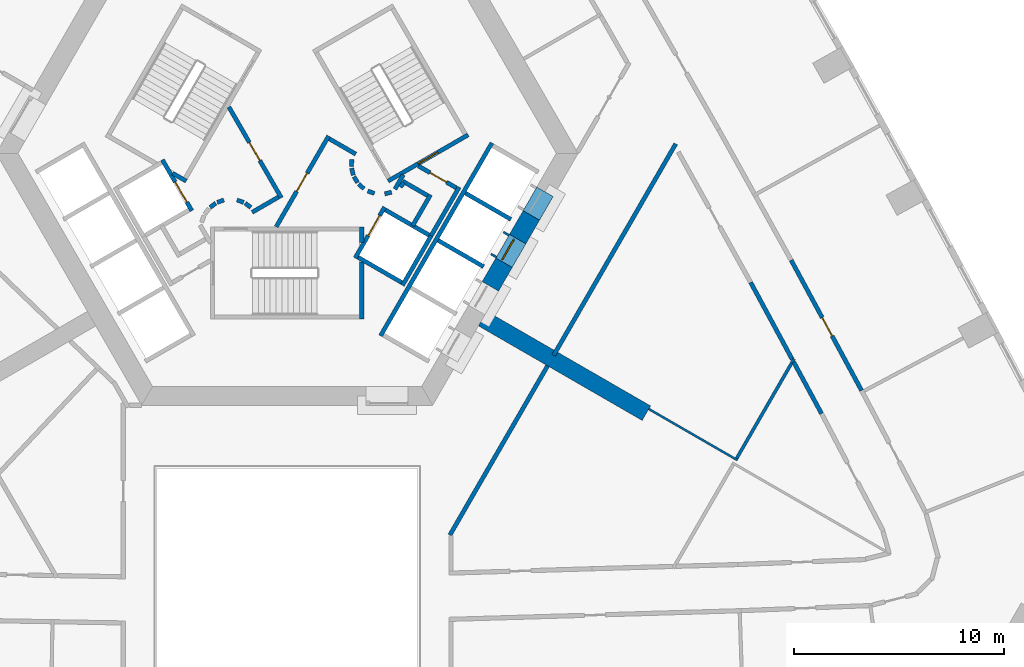
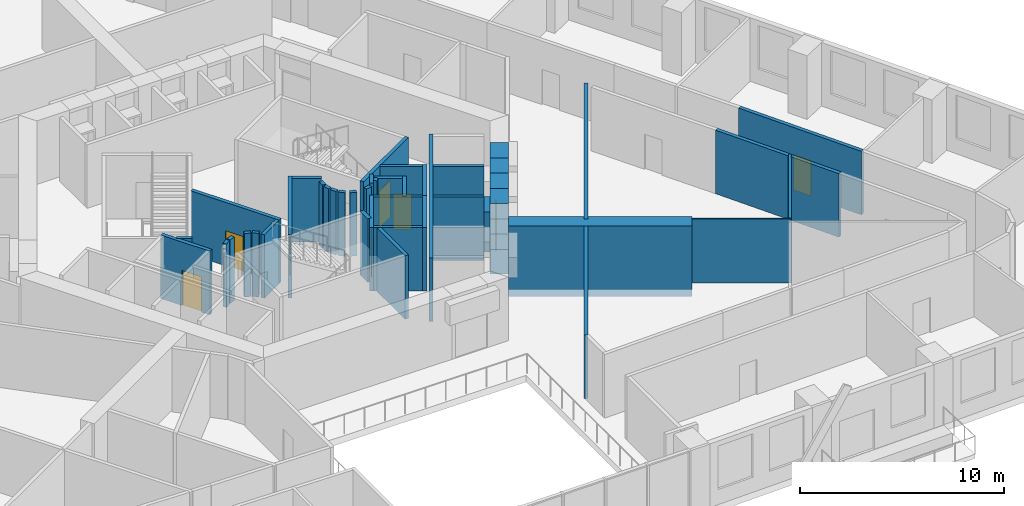
# One storey, part 7 of 14: 45 walls, 8 doors, 8 openings.
"""IFC4 building model written with IfcOpenShell, lengths in metres."""

from ifc_helpers import new_model, si_unit, direction, frame, frame_2d, origin, place, context, subcontext, project, spatial, polyline, rectangle, outline, extrude, material, layer, layer_set, type_object, element, fill, save


model = new_model("IFC4")

# Units and contexts
model_context = context("Model", 3, precision=1e-05, world=origin(), true_north=direction((0.0, 1.0)))
body_context = subcontext(model_context, "Body", "Model", "MODEL_VIEW")
ifc_project = project(units=[si_unit("LENGTHUNIT", "METRE"), si_unit("AREAUNIT", "SQUARE_METRE"), si_unit("VOLUMEUNIT", "CUBIC_METRE"), si_unit("PLANEANGLEUNIT", "RADIAN"), si_unit("MASSUNIT", "GRAM", prefix="KILO")], contexts=[model_context])

# Site, building, storey
site_placement = place(None, origin())
site = spatial("IfcSite", under=ifc_project, at=site_placement, CompositionType="ELEMENT")
building_placement = place(site_placement, origin())
building = spatial("IfcBuilding", under=site, at=building_placement, Name="Entoto Arch Interchange Tower", CompositionType="ELEMENT")
storey_placement = place(building_placement, frame((0.0, 0.0, 103.39990234375)))
storey = spatial("IfcBuildingStorey", under=building, at=storey_placement, Name="L22", CompositionType="ELEMENT", Elevation=103.39990234375)

# Walls
ifc_material_1 = material(Name="Concrete C60/75", Category="concrete")
ifc_layer_1 = layer(ifc_material_1, 0.800048828125)
ifc_layer_set_1 = layer_set([ifc_layer_1], Name="Concrete C60/75")
wall_type_1 = type_object("IfcWallType", Name="Buttress wall 800 C60/75", PredefinedType="SHEAR", material=ifc_layer_set_1)
wall_1_placement = place(storey_placement, frame((9.31005859375, -5.375, -0.39990234375), z_axis=(0.0, 0.0, 1.0), x_axis=(0.866017533419, -0.500013631625, 0.0)))
element("IfcWall", 1, at=wall_1_placement, inside=storey, type_object=wall_type_1, Name="Buttress wall SE L22", PredefinedType="SHEAR", context=body_context, shape_type="SweptSolid", body=[
    extrude(rectangle(XDim=8.999755859375, YDim=0.800048828125, at=frame_2d((4.5, 0.0))), origin(), (0.0, 0.0, 1.0), 4.199951171875),
])
ifc_layer_2 = layer(ifc_material_1, 0.89990234375)
ifc_layer_set_2 = layer_set([ifc_layer_2], Name="Concrete C60/75")
wall_type_2 = type_object("IfcWallType", Name="Core wall 900 C60/75", PredefinedType="SHEAR", material=ifc_layer_set_2)
wall_2_placement = place(storey_placement, frame((0.0, 0.0, -0.39990234375)))
element("IfcWall", 2, at=wall_2_placement, inside=storey, type_object=wall_type_2, Name="Core wall SE L22", PredefinedType="SHEAR", context=body_context, shape_type="SweptSolid", body=[
    extrude(outline(polyline([(10.717041015625, -2.93701171875), (9.93798828125, -2.487060546875), (9.2880859375, -3.613037109375), (10.06689453125, -4.06298828125), (10.717041015625, -2.93701171875)])), origin(), (0.0, 0.0, 1.0), 4.199951171875),
])
wall_3_placement = place(storey_placement, frame((0.0, 0.0, -0.39990234375)))
element("IfcWall", 3, at=wall_3_placement, inside=storey, type_object=wall_type_2, Name="Core wall SE L22", PredefinedType="SHEAR", context=body_context, shape_type="SweptSolid", body=[
    extrude(outline(polyline([(12.01708984375, -0.68603515625), (11.238037109375, -0.236083984375), (10.587890625, -1.361083984375), (11.366943359375, -1.81103515625), (12.01708984375, -0.68603515625)])), origin(), (0.0, 0.0, 1.0), 4.199951171875),
])
wall_4_placement = place(storey_placement, frame((0.0, 0.0, 3.60009765625)))
element("IfcWall", 4, at=wall_4_placement, inside=storey, type_object=wall_type_2, Name="Core wall lintel SE L22", PredefinedType="SHEAR", context=body_context, shape_type="SweptSolid", body=[
    extrude(outline(polyline([(11.366943359375, -1.81103515625), (10.587890625, -1.361083984375), (9.93798828125, -2.487060546875), (10.717041015625, -2.93701171875), (11.366943359375, -1.81103515625)])), origin(), (0.0, 0.0, 1.0), 0.199951171875),
])
wall_5_placement = place(storey_placement, frame((0.0, 0.0, 3.60009765625)))
element("IfcWall", 5, at=wall_5_placement, inside=storey, type_object=wall_type_2, Name="Core wall lintel SE L22", PredefinedType="SHEAR", context=body_context, shape_type="SweptSolid", body=[
    extrude(outline(polyline([(12.6669921875, 0.43994140625), (11.887939453125, 0.889892578125), (11.238037109375, -0.236083984375), (12.01708984375, -0.68603515625), (12.6669921875, 0.43994140625)])), origin(), (0.0, 0.0, 1.0), 0.199951171875),
])

# Wall, opening, door
ifc_material_2 = material(Name="Concrete C40/50", Category="concrete")
ifc_layer_3 = layer(ifc_material_2, 1.199951171875)
ifc_layer_set_3 = layer_set([ifc_layer_3], Name="Concrete C40/50")
wall_type_3 = type_object("IfcWallType", Name="LIFT LANDING INFILL WALL", PredefinedType="STANDARD", material=ifc_layer_set_3)
wall_6_placement = place(storey_placement, frame((10.197998046875, -2.636962890625, 0.0), z_axis=(0.0, 0.0, 1.0), x_axis=(0.49989585183, 0.866085525409, 0.0)))
wall_6 = element("IfcWall", 6, at=wall_6_placement, inside=storey, type_object=wall_type_3, Name="Lift landing infill wall LR7 L22", PredefinedType="STANDARD", context=body_context, shape_type="SweptSolid", body=[
    extrude(rectangle(XDim=1.300048828125, YDim=1.199951171875, at=frame_2d((0.64990234375, 0.0))), origin(), (0.0, 0.0, 1.0), 2.400146484375),
])
opening_1_placement = place(wall_6_placement, frame((0.10009765625, 0.0, 0.0)))
opening_1 = element("IfcOpeningElement", 7, at=opening_1_placement, cuts=wall_6, Name="Opening LD-LR7-L22", PredefinedType="OPENING", context=body_context, shape_type="SweptSolid", body=[
    extrude(rectangle(XDim=1.10009765625, YDim=2.300048828125, at=frame_2d((0.550048828125, 1.14990234375))), frame((0.0, 0.60986328125, 0.0), z_axis=(0.0, -1.0, 0.0), x_axis=(1.0, 0.0, 0.0)), (0.0, 0.0, 1.0), 1.219970703125),
])
ifc_material_3 = material(Name="Stainless steel 1.4301 panels", Category="steel")
door_type_1 = type_object("IfcDoorType", Name="LIFT LANDING DOOR LD2 1100x2300", OperationType="SLIDING_TO_LEFT", PredefinedType="DOOR", material=ifc_material_3)
door_1_placement = place(opening_1_placement, origin())
door_1 = element("IfcDoor", 8, at=door_1_placement, inside=storey, type_object=door_type_1, Name="Lift landing door LR7 L22", OperationType="SLIDING_TO_LEFT", OverallHeight=2.300048828125, OverallWidth=1.10009765625, PredefinedType="DOOR", context=body_context, shape_type="SweptSolid", body=[
    extrude(rectangle(XDim=1.10009765625, YDim=2.300048828125, at=frame_2d((0.550048828125, 1.14990234375))), frame((0.0, 0.02490234375, 0.0), z_axis=(0.0, -1.0, 0.0), x_axis=(1.0, 0.0, 0.0)), (0.0, 0.0, 1.0), 0.050048828125),
])
fill(opening_1, door_1)

ifc_layer_4 = layer(ifc_material_2, 0.199951171875)
ifc_layer_set_4 = layer_set([ifc_layer_4], Name="Concrete C40/50")
wall_type_4 = type_object("IfcWallType", Name="LIFT SHAFT WALL 200", PredefinedType="STANDARD", material=ifc_layer_set_4)
wall_7_placement = place(storey_placement, frame((-5.93994140625, 2.18798828125, 0.0), z_axis=(0.0, 0.0, 1.0), x_axis=(0.49994636267, -0.866056369097, 0.0)))
wall_7 = element("IfcWall", 9, at=wall_7_placement, inside=storey, type_object=wall_type_4, Name="Shaft wall SW1 front", PredefinedType="STANDARD", context=body_context, shape_type="SweptSolid", body=[
    extrude(rectangle(XDim=2.800048828125, YDim=0.199951171875, at=frame_2d((1.39990234375, 0.0))), origin(), (0.0, 0.0, 1.0), 3.800048828125),
])
opening_2_placement = place(wall_7_placement, frame((1.22509765625, 0.0, 0.0)))
opening_2 = element("IfcOpeningElement", 10, at=opening_2_placement, cuts=wall_7, Name="Opening LD-FF2-L22", PredefinedType="OPENING", context=body_context, shape_type="SweptSolid", body=[
    extrude(rectangle(XDim=1.10009765625, YDim=2.10009765625, at=frame_2d((0.550048828125, 1.050048828125))), frame((0.0, 0.10986328125, 0.0), z_axis=(0.0, -1.0, 0.0), x_axis=(1.0, 0.0, 0.0)), (0.0, 0.0, 1.0), 0.219970703125),
])
door_type_2 = type_object("IfcDoorType", Name="LIFT LANDING DOOR LD1 1100x2100", OperationType="SLIDING_TO_LEFT", PredefinedType="DOOR", material=ifc_material_3)
door_2_placement = place(opening_2_placement, origin())
door_2 = element("IfcDoor", 11, at=door_2_placement, inside=storey, type_object=door_type_2, Name="Lift landing door FF2 L22", OperationType="SLIDING_TO_LEFT", OverallHeight=2.10009765625, OverallWidth=1.10009765625, PredefinedType="DOOR", context=body_context, shape_type="SweptSolid", body=[
    extrude(rectangle(XDim=1.10009765625, YDim=2.10009765625, at=frame_2d((0.550048828125, 1.050048828125))), frame((0.0, 0.02490234375, 0.0), z_axis=(0.0, -1.0, 0.0), x_axis=(1.0, 0.0, 0.0)), (0.0, 0.0, 1.0), 0.050048828125),
])
fill(opening_2, door_2)

wall_8_placement = place(storey_placement, frame((3.239990234375, -2.488037109375, 0.0), z_axis=(0.0, 0.0, 1.0), x_axis=(0.49994636267, 0.866056369097, 0.0)))
wall_8 = element("IfcWall", 12, at=wall_8_placement, inside=storey, type_object=wall_type_4, Name="Shaft wall SE1 front", PredefinedType="STANDARD", context=body_context, shape_type="SweptSolid", body=[
    extrude(rectangle(XDim=2.800048828125, YDim=0.199951171875, at=frame_2d((1.39990234375, 0.0))), origin(), (0.0, 0.0, 1.0), 3.800048828125),
])
opening_3_placement = place(wall_8_placement, frame((1.22509765625, 0.0, 0.0)))
opening_3 = element("IfcOpeningElement", 13, at=opening_3_placement, cuts=wall_8, Name="Opening LD-FF1-L22", PredefinedType="OPENING", context=body_context, shape_type="SweptSolid", body=[
    extrude(rectangle(XDim=1.10009765625, YDim=2.10009765625, at=frame_2d((0.550048828125, 1.050048828125))), frame((0.0, 0.10986328125, 0.0), z_axis=(0.0, -1.0, 0.0), x_axis=(1.0, 0.0, 0.0)), (0.0, 0.0, 1.0), 0.219970703125),
])
door_3_placement = place(opening_3_placement, origin())
door_3 = element("IfcDoor", 14, at=door_3_placement, inside=storey, type_object=door_type_2, Name="Lift landing door FF1 L22", OperationType="SLIDING_TO_LEFT", OverallHeight=2.10009765625, OverallWidth=1.10009765625, PredefinedType="DOOR", context=body_context, shape_type="SweptSolid", body=[
    extrude(rectangle(XDim=1.10009765625, YDim=2.10009765625, at=frame_2d((0.550048828125, 1.050048828125))), frame((0.0, 0.02490234375, 0.0), z_axis=(0.0, -1.0, 0.0), x_axis=(1.0, 0.0, 0.0)), (0.0, 0.0, 1.0), 0.050048828125),
])
fill(opening_3, door_3)

# Walls
wall_9_placement = place(storey_placement, frame((5.491943359375, -3.7880859375, 0.0), z_axis=(0.0, 0.0, 1.0), x_axis=(0.500011755427, 0.866018616679, 0.0)))
element("IfcWall", 15, at=wall_9_placement, inside=storey, type_object=wall_type_4, Name="Shaft wall SE1 back", PredefinedType="STANDARD", context=body_context, shape_type="SweptSolid", body=[
    extrude(rectangle(XDim=2.80029296875, YDim=0.199951171875, at=frame_2d((1.400146484375, 0.0))), origin(), (0.0, 0.0, 1.0), 3.800048828125),
])
wall_10_placement = place(storey_placement, frame((3.376953125, -2.451904296875, 0.0), z_axis=(0.0, 0.0, 1.0), x_axis=(0.865955154139, -0.50012165622, 0.0)))
element("IfcWall", 16, at=wall_10_placement, inside=storey, type_object=wall_type_4, Name="Shaft wall SE1 cross 1", PredefinedType="STANDARD", context=body_context, shape_type="SweptSolid", body=[
    extrude(rectangle(XDim=2.39990234375, YDim=0.199951171875, at=frame_2d((1.199951171875, 0.0))), origin(), (0.0, 0.0, 1.0), 3.800048828125),
])
wall_11_placement = place(storey_placement, frame((4.677001953125, -0.199951171875, 0.0), z_axis=(0.0, 0.0, 1.0), x_axis=(0.865973769406, -0.500089422704, 0.0)))
element("IfcWall", 17, at=wall_11_placement, inside=storey, type_object=wall_type_4, Name="Shaft wall SE1 cross 2", PredefinedType="STANDARD", context=body_context, shape_type="SweptSolid", body=[
    extrude(rectangle(XDim=2.3994140625, YDim=0.199951171875, at=frame_2d((1.19970703125, 0.0))), origin(), (0.0, 0.0, 1.0), 3.800048828125),
])
wall_12_placement = place(storey_placement, frame((4.450927734375, -6.18994140625, 0.0), z_axis=(0.0, 0.0, 1.0), x_axis=(0.50000090737, 0.866024879913, 0.0)))
element("IfcWall", 18, at=wall_12_placement, inside=storey, type_object=wall_type_4, Name="Shaft wall SE3 front", PredefinedType="STANDARD", context=body_context, shape_type="SweptSolid", body=[
    extrude(rectangle(XDim=10.60009765625, YDim=0.199951171875, at=frame_2d((5.300048828125, 0.0))), origin(), (0.0, 0.0, 1.0), 3.800048828125),
])
for number, where, z_axis, x_axis, name in (
    (19, (7.18798828125, -1.64990234375, 0.0), (0.0, 0.0, 1.0), (0.866022959057, -0.500004234368, 0.0), "Shaft wall SE3 cross 3"),
    (20, (8.488037109375, 0.60205078125, 0.0), (0.0, 0.0, 1.0), (0.866022959057, -0.500004234368, 0.0), "Shaft wall SE3 cross 4"),
):
    element("IfcWall", number, at=place(storey_placement, frame(where, z_axis=z_axis, x_axis=x_axis)), inside=storey, type_object=wall_type_4, Name=name, PredefinedType="STANDARD", context=body_context, shape_type="SweptSolid", body=[
        extrude(rectangle(XDim=2.5, YDim=0.199951171875, at=frame_2d((1.25, 0.0))), origin(), (0.0, 0.0, 1.0), 3.800048828125),
    ])
ifc_material_4 = material(Name="Gypsum board partition on steel studs", Category="steel")
ifc_layer_5 = layer(ifc_material_4, 0.10009765625)
ifc_layer_set_5 = layer_set([ifc_layer_5], Name="Gypsum board partition on steel studs")
wall_type_5 = type_object("IfcWallType", Name="PARTITION 100", PredefinedType="PARTITIONING", material=ifc_layer_set_5)
wall_13_placement = place(storey_placement, frame((17.218994140625, -9.676025390625, 0.0), z_axis=(0.0, 0.0, 1.0), x_axis=(0.86598459596, -0.500070674565, 0.0)))
element("IfcWall", 21, at=wall_13_placement, inside=storey, type_object=wall_type_5, Name="wall:L22:p123", PredefinedType="PARTITIONING", context=body_context, shape_type="SweptSolid", body=[
    extrude(rectangle(XDim=4.875244140625, YDim=0.10009765625, at=frame_2d((2.4375, 0.0))), origin(), (0.0, 0.0, 1.0), 3.800048828125),
])
ifc_layer_6 = layer(ifc_material_4, 0.14990234375)
ifc_layer_set_6 = layer_set([ifc_layer_6], Name="Gypsum board partition on steel studs")
wall_type_6 = type_object("IfcWallType", Name="PARTITION 150", PredefinedType="PARTITIONING", material=ifc_layer_set_6)
wall_14_placement = place(storey_placement, frame((24.136962890625, -7.2939453125, 0.0), z_axis=(0.0, 0.0, 1.0), x_axis=(-0.500001804394, -0.866024362014, 0.0)))
element("IfcWall", 22, at=wall_14_placement, inside=storey, type_object=wall_type_6, Name="wall:L22:p125", PredefinedType="PARTITIONING", context=body_context, shape_type="SweptSolid", body=[
    extrude(rectangle(XDim=5.47216796875, YDim=0.14990234375, at=frame_2d((2.736083984375, 0.0))), origin(), (0.0, 0.0, 1.0), 3.800048828125),
])
ifc_layer_7 = layer(ifc_material_4, 0.199951171875)
ifc_layer_set_7 = layer_set([ifc_layer_7], Name="Gypsum board partition on steel studs")
wall_type_7 = type_object("IfcWallType", Name="PARTITION 200", PredefinedType="PARTITIONING", material=ifc_layer_set_7)
wall_15_placement = place(storey_placement, frame((24.051025390625, -7.31494140625, 0.0), z_axis=(0.0, 0.0, 1.0), x_axis=(-0.475308630647, 0.87981913234, 0.0)))
element("IfcWall", 23, at=wall_15_placement, inside=storey, type_object=wall_type_7, Name="wall:L22:p019", PredefinedType="PARTITIONING", context=body_context, shape_type="SweptSolid", body=[
    extrude(rectangle(XDim=4.165771484375, YDim=0.199951171875, at=frame_2d((2.0830078125, 0.0))), origin(), (0.0, 0.0, 1.0), 3.800048828125),
])
wall_16_placement = place(storey_placement, frame((25.446044921875, -9.89599609375, 0.0), z_axis=(0.0, 0.0, 1.0), x_axis=(-0.475427182652, 0.879755076141, 0.0)))
element("IfcWall", 24, at=wall_16_placement, inside=storey, type_object=wall_type_7, Name="wall:L22:p026", PredefinedType="PARTITIONING", context=body_context, shape_type="SweptSolid", body=[
    extrude(rectangle(XDim=2.784912109375, YDim=0.199951171875, at=frame_2d((1.392578125, 0.0))), origin(), (0.0, 0.0, 1.0), 3.800048828125),
])

# Wall, opening, door
wall_17_placement = place(storey_placement, frame((24.0, -2.593017578125, 0.0), z_axis=(0.0, 0.0, 1.0), x_axis=(0.475480817472, -0.879726089312, 0.0)))
wall_17 = element("IfcWall", 25, at=wall_17_placement, inside=storey, type_object=wall_type_7, Name="wall:L22:p051", PredefinedType="PARTITIONING", context=body_context, shape_type="SweptSolid", body=[
    extrude(rectangle(XDim=7.0498046875, YDim=0.199951171875, at=frame_2d((3.52490234375, 0.0))), origin(), (0.0, 0.0, 1.0), 3.800048828125),
])
opening_4_placement = place(wall_17_placement, frame((3.10009765625, 0.0, 0.0)))
opening_4 = element("IfcOpeningElement", 26, at=opening_4_placement, cuts=wall_17, Name="Opening L22-D05", PredefinedType="OPENING", context=body_context, shape_type="SweptSolid", body=[
    extrude(rectangle(XDim=1.0, YDim=2.10009765625, at=frame_2d((0.5, 1.050048828125))), frame((0.0, 0.10986328125, 0.0), z_axis=(0.0, -1.0, 0.0), x_axis=(1.0, 0.0, 0.0)), (0.0, 0.0, 1.0), 0.219970703125),
])
ifc_material_5 = material(Name="Timber door leaf in Steel S235 frame", Category="steel")
door_type_3 = type_object("IfcDoorType", Name="DOOR DS-10 1000x2100", OperationType="SINGLE_SWING_LEFT", PredefinedType="DOOR", material=ifc_material_5)
door_4_placement = place(opening_4_placement, origin())
door_4 = element("IfcDoor", 27, at=door_4_placement, inside=storey, type_object=door_type_3, Name="door:L22:05", OperationType="SINGLE_SWING_LEFT", OverallHeight=2.10009765625, OverallWidth=1.0, PredefinedType="DOOR", context=body_context, shape_type="SweptSolid", body=[
    extrude(rectangle(XDim=1.0, YDim=2.10009765625, at=frame_2d((0.5, 1.050048828125))), frame((0.0, 0.02490234375, 0.0), z_axis=(0.0, -1.0, 0.0), x_axis=(1.0, 0.0, 0.0)), (0.0, 0.0, 1.0), 0.050048828125),
])
fill(opening_4, door_4)

# Walls
wall_18_placement = place(storey_placement, frame((5.389892578125, 0.89794921875, 0.0), z_axis=(0.0, 0.0, 1.0), x_axis=(0.673828488714, 0.738887791073, 0.0)))
element("IfcWall", 28, at=wall_18_placement, inside=storey, type_object=wall_type_7, Name="wall:L22:p084", PredefinedType="PARTITIONING", context=body_context, shape_type="SweptSolid", body=[
    extrude(rectangle(XDim=0.2626953125, YDim=0.199951171875, at=frame_2d((0.13134765625, 0.0))), origin(), (0.0, 0.0, 1.0), 3.800048828125),
])
wall_19_placement = place(storey_placement, frame((5.4990234375, 1.172119140625, 0.0), z_axis=(0.0, 0.0, 1.0), x_axis=(0.866333505267, -0.499465972466, 0.0)))
element("IfcWall", 29, at=wall_19_placement, inside=storey, type_object=wall_type_7, Name="wall:L22:p085", PredefinedType="PARTITIONING", context=body_context, shape_type="SweptSolid", body=[
    extrude(rectangle(XDim=1.37353515625, YDim=0.199951171875, at=frame_2d((0.686767578125, 0.0))), origin(), (0.0, 0.0, 1.0), 3.800048828125),
])
wall_20_placement = place(storey_placement, frame((6.825927734375, 0.52197265625, 0.0), z_axis=(0.0, 0.0, 1.0), x_axis=(-0.500016722714, -0.866015748706, 0.0)))
element("IfcWall", 30, at=wall_20_placement, inside=storey, type_object=wall_type_7, Name="wall:L22:p086", PredefinedType="PARTITIONING", context=body_context, shape_type="SweptSolid", body=[
    extrude(rectangle(XDim=1.69970703125, YDim=0.199951171875, at=frame_2d((0.849853515625, 0.0))), origin(), (0.0, 0.0, 1.0), 3.800048828125),
])

# Wall, opening, door
wall_21_placement = place(storey_placement, frame((6.25, 1.89404296875, 0.0), z_axis=(0.0, 0.0, 1.0), x_axis=(0.866043184279, -0.499969202016, 0.0)))
wall_21 = element("IfcWall", 31, at=wall_21_placement, inside=storey, type_object=wall_type_7, Name="wall:L22:p087", PredefinedType="PARTITIONING", context=body_context, shape_type="SweptSolid", body=[
    extrude(rectangle(XDim=2.084228515625, YDim=0.199951171875, at=frame_2d((1.0419921875, 0.0))), origin(), (0.0, 0.0, 1.0), 3.800048828125),
])
opening_5_placement = place(wall_21_placement, frame((0.64208984375, 0.0, 0.0)))
opening_5 = element("IfcOpeningElement", 32, at=opening_5_placement, cuts=wall_21, Name="Opening L22-D38", PredefinedType="OPENING", context=body_context, shape_type="SweptSolid", body=[
    extrude(rectangle(XDim=0.89990234375, YDim=2.10009765625, at=frame_2d((0.449951171875, 1.050048828125))), frame((0.0, 0.10986328125, 0.0), z_axis=(0.0, -1.0, 0.0), x_axis=(1.0, 0.0, 0.0)), (0.0, 0.0, 1.0), 0.219970703125),
])
door_type_4 = type_object("IfcDoorType", Name="DOOR DS-09 900x2100", OperationType="SINGLE_SWING_LEFT", PredefinedType="DOOR", material=ifc_material_5)
door_5_placement = place(opening_5_placement, origin())
door_5 = element("IfcDoor", 33, at=door_5_placement, inside=storey, type_object=door_type_4, Name="door:L22:38", OperationType="SINGLE_SWING_LEFT", OverallHeight=2.10009765625, OverallWidth=0.89990234375, PredefinedType="DOOR", context=body_context, shape_type="SweptSolid", body=[
    extrude(rectangle(XDim=0.89990234375, YDim=2.10009765625, at=frame_2d((0.449951171875, 1.050048828125))), frame((0.0, 0.02490234375, 0.0), z_axis=(0.0, -1.0, 0.0), x_axis=(1.0, 0.0, 0.0)), (0.0, 0.0, 1.0), 0.050048828125),
])
fill(opening_5, door_5)

# Walls
wall_22_placement = place(storey_placement, frame((8.19189453125, 0.887939453125, 0.0), z_axis=(0.0, 0.0, 1.0), x_axis=(-0.499940625693, -0.866059680843, 0.0)))
element("IfcWall", 34, at=wall_22_placement, inside=storey, type_object=wall_type_7, Name="wall:L22:p088", PredefinedType="PARTITIONING", context=body_context, shape_type="SweptSolid", body=[
    extrude(rectangle(XDim=2.679931640625, YDim=0.199951171875, at=frame_2d((1.33984375, 0.0))), origin(), (0.0, 0.0, 1.0), 3.800048828125),
])
wall_23_placement = place(storey_placement, frame((5.135009765625, 0.79296875, 0.0), z_axis=(0.0, 0.0, 1.0), x_axis=(0.499526442893, 0.866298639529, 0.0)))
element("IfcWall", 35, at=wall_23_placement, inside=storey, type_object=wall_type_7, Name="wall:L22:p089", PredefinedType="PARTITIONING", context=body_context, shape_type="SweptSolid", body=[
    extrude(rectangle(XDim=0.790771484375, YDim=0.199951171875, at=frame_2d((0.3955078125, 0.0))), origin(), (0.0, 0.0, 1.0), 3.800048828125),
])

# Wall, opening, door
wall_24_placement = place(storey_placement, frame((-0.52001953125, -1.0, 0.0), z_axis=(0.0, 0.0, 1.0), x_axis=(0.50011622646, 0.865958290007, 0.0)))
wall_24 = element("IfcWall", 36, at=wall_24_placement, inside=storey, type_object=wall_type_7, Name="wall:L22:p099", PredefinedType="PARTITIONING", context=body_context, shape_type="SweptSolid", body=[
    extrude(rectangle(XDim=4.990966796875, YDim=0.199951171875, at=frame_2d((2.49560546875, 0.0))), origin(), (0.0, 0.0, 1.0), 3.800048828125),
])
opening_6_placement = place(wall_24_placement, frame((1.945068359375, 0.0, 0.0)))
opening_6 = element("IfcOpeningElement", 37, at=opening_6_placement, cuts=wall_24, Name="Opening L22-D36", PredefinedType="OPENING", context=body_context, shape_type="SweptSolid", body=[
    extrude(rectangle(XDim=1.0, YDim=2.10009765625, at=frame_2d((0.5, 1.050048828125))), frame((0.0, 0.10986328125, 0.0), z_axis=(0.0, -1.0, 0.0), x_axis=(1.0, 0.0, 0.0)), (0.0, 0.0, 1.0), 0.219970703125),
])
ifc_material_6 = material(Name="Fire-rated Steel S235 door and frame", Category="steel")
door_type_5 = type_object("IfcDoorType", Name="DOOR FD-10 1000x2100", OperationType="SINGLE_SWING_LEFT", PredefinedType="DOOR", material=ifc_material_6)
door_6_placement = place(opening_6_placement, origin())
door_6 = element("IfcDoor", 38, at=door_6_placement, inside=storey, type_object=door_type_5, Name="door:L22:36", OperationType="SINGLE_SWING_LEFT", OverallHeight=2.10009765625, OverallWidth=1.0, PredefinedType="DOOR", context=body_context, shape_type="SweptSolid", body=[
    extrude(rectangle(XDim=1.0, YDim=2.10009765625, at=frame_2d((0.5, 1.050048828125))), frame((0.0, 0.02490234375, 0.0), z_axis=(0.0, -1.0, 0.0), x_axis=(1.0, 0.0, 0.0)), (0.0, 0.0, 1.0), 0.050048828125),
])
fill(opening_6, door_6)

# Walls
wall_25_placement = place(storey_placement, frame((2.011962890625, 3.18603515625, 0.0), z_axis=(0.0, 0.0, 1.0), x_axis=(0.865891012941, -0.500232699559, 0.0)))
element("IfcWall", 39, at=wall_25_placement, inside=storey, type_object=wall_type_7, Name="wall:L22:p100", PredefinedType="PARTITIONING", context=body_context, shape_type="SweptSolid", body=[
    extrude(rectangle(XDim=1.449462890625, YDim=0.199951171875, at=frame_2d((0.724609375, 0.0))), origin(), (0.0, 0.0, 1.0), 3.800048828125),
])
wall_26_placement = place(storey_placement, frame((3.0791015625, 2.198974609375, 0.0), z_axis=(0.0, 0.0, 1.0), x_axis=(-0.047771483479, -0.998858290933, 0.0)))
element("IfcWall", 40, at=wall_26_placement, inside=storey, type_object=wall_type_7, Name="wall:L22:p101", PredefinedType="PARTITIONING", context=body_context, shape_type="SweptSolid", body=[
    extrude(rectangle(XDim=0.33740234375, YDim=0.199951171875, at=frame_2d((0.168701171875, 0.0))), origin(), (0.0, 0.0, 1.0), 3.800048828125),
])
wall_27_placement = place(storey_placement, frame((3.070068359375, 1.785888671875, 0.0), z_axis=(0.0, 0.0, 1.0), x_axis=(0.242705583207, -0.970099994784, 0.0)))
element("IfcWall", 41, at=wall_27_placement, inside=storey, type_object=wall_type_7, Name="wall:L22:p102", PredefinedType="PARTITIONING", context=body_context, shape_type="SweptSolid", body=[
    extrude(rectangle(XDim=0.337890625, YDim=0.199951171875, at=frame_2d((0.1689453125, 0.0))), origin(), (0.0, 0.0, 1.0), 3.800048828125),
])
for number, where, z_axis, x_axis, name in (
    (42, (3.181884765625, 1.387939453125, 0.0), (0.0, 0.0, 1.0), (0.512474702713, -0.85870232274, 0.0), "wall:L22:p103"),
    (43, (3.404052734375, 1.0390625, 0.0), (0.0, 0.0, 1.0), (0.740267097712, -0.672312891476, 0.0), "wall:L22:p104"),
):
    element("IfcWall", number, at=place(storey_placement, frame(where, z_axis=z_axis, x_axis=x_axis)), inside=storey, type_object=wall_type_7, Name=name, PredefinedType="PARTITIONING", context=body_context, shape_type="SweptSolid", body=[
        extrude(rectangle(XDim=0.337646484375, YDim=0.199951171875, at=frame_2d((0.1689453125, 0.0))), origin(), (0.0, 0.0, 1.0), 3.800048828125),
    ])
wall_28_placement = place(storey_placement, frame((3.837890625, 0.701904296875, 0.0), z_axis=(0.0, 0.0, 1.0), x_axis=(0.941035081519, -0.338308993895, 0.0)))
element("IfcWall", 44, at=wall_28_placement, inside=storey, type_object=wall_type_7, Name="wall:L22:p105", PredefinedType="PARTITIONING", context=body_context, shape_type="SweptSolid", body=[
    extrude(rectangle(XDim=0.3369140625, YDim=0.199951171875, at=frame_2d((0.16845703125, 0.0))), origin(), (0.0, 0.0, 1.0), 3.800048828125),
])
wall_29_placement = place(storey_placement, frame((4.64404296875, 0.56396484375, 0.0), z_axis=(0.0, 0.0, 1.0), x_axis=(0.969929076366, 0.243387729394, 0.0)))
element("IfcWall", 45, at=wall_29_placement, inside=storey, type_object=wall_type_7, Name="wall:L22:p106", PredefinedType="PARTITIONING", context=body_context, shape_type="SweptSolid", body=[
    extrude(rectangle(XDim=0.337158203125, YDim=0.199951171875, at=frame_2d((0.16845703125, 0.0))), origin(), (0.0, 0.0, 1.0), 3.800048828125),
])

# Wall, opening, door
wall_30_placement = place(storey_placement, frame((-2.77099609375, 4.699951171875, 0.0), z_axis=(0.0, 0.0, 1.0), x_axis=(0.499969479948, -0.866043023828, 0.0)))
wall_30 = element("IfcWall", 46, at=wall_30_placement, inside=storey, type_object=wall_type_7, Name="wall:L22:p107", PredefinedType="PARTITIONING", context=body_context, shape_type="SweptSolid", body=[
    extrude(rectangle(XDim=4.990478515625, YDim=0.199951171875, at=frame_2d((2.4951171875, 0.0))), origin(), (0.0, 0.0, 1.0), 3.800048828125),
])
opening_7_placement = place(wall_30_placement, frame((1.945068359375, 0.0, 0.0)))
opening_7 = element("IfcOpeningElement", 47, at=opening_7_placement, cuts=wall_30, Name="Opening L22-D37", PredefinedType="OPENING", context=body_context, shape_type="SweptSolid", body=[
    extrude(rectangle(XDim=1.0, YDim=2.10009765625, at=frame_2d((0.5, 1.050048828125))), frame((0.0, 0.10986328125, 0.0), z_axis=(0.0, -1.0, 0.0), x_axis=(1.0, 0.0, 0.0)), (0.0, 0.0, 1.0), 0.219970703125),
])
door_7_placement = place(opening_7_placement, origin())
door_7 = element("IfcDoor", 48, at=door_7_placement, inside=storey, type_object=door_type_5, Name="door:L22:37", OperationType="SINGLE_SWING_RIGHT", OverallHeight=2.10009765625, OverallWidth=1.0, PredefinedType="DOOR", context=body_context, shape_type="SweptSolid", body=[
    extrude(rectangle(XDim=1.0, YDim=2.10009765625, at=frame_2d((0.5, 1.050048828125))), frame((0.0, 0.02490234375, 0.0), z_axis=(0.0, -1.0, 0.0), x_axis=(1.0, 0.0, 0.0)), (0.0, 0.0, 1.0), 0.050048828125),
])
fill(opening_7, door_7)

# Walls
wall_31_placement = place(storey_placement, frame((-0.412109375, 0.4140625, 0.0), z_axis=(0.0, 0.0, 1.0), x_axis=(-0.866017369001, -0.500013916395, 0.0)))
element("IfcWall", 49, at=wall_31_placement, inside=storey, type_object=wall_type_7, Name="wall:L22:p108", PredefinedType="PARTITIONING", context=body_context, shape_type="SweptSolid", body=[
    extrude(rectangle(XDim=1.4501953125, YDim=0.199951171875, at=frame_2d((0.72509765625, 0.0))), origin(), (0.0, 0.0, 1.0), 3.800048828125),
])
wall_32_placement = place(storey_placement, frame((-1.73095703125, -0.076904296875, 0.0), z_axis=(0.0, 0.0, 1.0), x_axis=(-0.804311165252, 0.594208338422, 0.0)))
element("IfcWall", 50, at=wall_32_placement, inside=storey, type_object=wall_type_7, Name="wall:L22:p109", PredefinedType="PARTITIONING", context=body_context, shape_type="SweptSolid", body=[
    extrude(rectangle(XDim=0.338134765625, YDim=0.199951171875, at=frame_2d((0.1689453125, 0.0))), origin(), (0.0, 0.0, 1.0), 3.800048828125),
])
wall_33_placement = place(storey_placement, frame((-2.070068359375, 0.159912109375, 0.0), z_axis=(0.0, 0.0, 1.0), x_axis=(-0.942199461132, 0.335052496547, 0.0)))
element("IfcWall", 51, at=wall_33_placement, inside=storey, type_object=wall_type_7, Name="wall:L22:p110", PredefinedType="PARTITIONING", context=body_context, shape_type="SweptSolid", body=[
    extrude(rectangle(XDim=0.33740234375, YDim=0.199951171875, at=frame_2d((0.168701171875, 0.0))), origin(), (0.0, 0.0, 1.0), 3.800048828125),
])
wall_34_placement = place(storey_placement, frame((-3.011962890625, 0.27294921875, 0.0), z_axis=(0.0, 0.0, 1.0), x_axis=(-0.942280615813, -0.334824194261, 0.0)))
element("IfcWall", 52, at=wall_34_placement, inside=storey, type_object=wall_type_7, Name="wall:L22:p111", PredefinedType="PARTITIONING", context=body_context, shape_type="SweptSolid", body=[
    extrude(rectangle(XDim=0.337646484375, YDim=0.199951171875, at=frame_2d((0.1689453125, 0.0))), origin(), (0.0, 0.0, 1.0), 3.800048828125),
])
wall_35_placement = place(storey_placement, frame((-3.39697265625, 0.1240234375, 0.0), z_axis=(0.0, 0.0, 1.0), x_axis=(-0.804311165252, -0.594208338422, 0.0)))
element("IfcWall", 53, at=wall_35_placement, inside=storey, type_object=wall_type_7, Name="wall:L22:p112", PredefinedType="PARTITIONING", context=body_context, shape_type="SweptSolid", body=[
    extrude(rectangle(XDim=0.338134765625, YDim=0.199951171875, at=frame_2d((0.1689453125, 0.0))), origin(), (0.0, 0.0, 1.0), 3.800048828125),
])
wall_36_placement = place(storey_placement, frame((12.40087890625, -7.62109375, 0.0), z_axis=(0.0, 0.0, 1.0), x_axis=(-0.499983724212, -0.866034800411, 0.0)))
element("IfcWall", 54, at=wall_36_placement, inside=storey, type_object=wall_type_7, Name="wall:L22:p121", PredefinedType="PARTITIONING", context=body_context, shape_type="SweptSolid", body=[
    extrude(rectangle(XDim=9.302001953125, YDim=0.199951171875, at=frame_2d((4.65087890625, 0.0))), origin(), (0.0, 0.0, 1.0), 3.800048828125),
])
wall_37_placement = place(storey_placement, frame((18.5029296875, 2.948974609375, 0.0), z_axis=(0.0, 0.0, 1.0), x_axis=(-0.49997390151, -0.86604047123, 0.0)))
element("IfcWall", 55, at=wall_37_placement, inside=storey, type_object=wall_type_7, Name="wall:L22:p122", PredefinedType="PARTITIONING", context=body_context, shape_type="SweptSolid", body=[
    extrude(rectangle(XDim=11.62646484375, YDim=0.199951171875, at=frame_2d((5.813232421875, 0.0))), origin(), (0.0, 0.0, 1.0), 3.800048828125),
])
ifc_layer_8 = layer(ifc_material_2, 0.199951171875)
ifc_layer_set_8 = layer_set([ifc_layer_8], Name="Concrete C40/50")
wall_type_8 = type_object("IfcWallType", Name="STAIR ENCLOSURE WALL 200", PredefinedType="STANDARD", material=ifc_layer_set_8)
wall_38_placement = place(storey_placement, frame((3.550048828125, -2.6669921875, 0.0), z_axis=(0.0, 0.0, 1.0), x_axis=(0.0, -1.0, 0.0)))
element("IfcWall", 56, at=wall_38_placement, inside=storey, type_object=wall_type_8, Name="Stair wall ST-S far", PredefinedType="STANDARD", context=body_context, shape_type="SweptSolid", body=[
    extrude(rectangle(XDim=2.73291015625, YDim=0.199951171875, at=frame_2d((1.366455078125, 0.0))), origin(), (0.0, 0.0, 1.0), 3.800048828125),
])
wall_39_placement = place(storey_placement, frame((3.550048828125, -1.0, 0.0), z_axis=(0.0, 0.0, 1.0), x_axis=(0.0, -1.0, 0.0)))
element("IfcWall", 57, at=wall_39_placement, inside=storey, type_object=wall_type_8, Name="Stair wall ST-S far return", PredefinedType="STANDARD", context=body_context, shape_type="SweptSolid", body=[
    extrude(rectangle(XDim=0.7509765625, YDim=0.199951171875, at=frame_2d((0.37548828125, 0.0))), origin(), (0.0, 0.0, 1.0), 3.800048828125),
])

# Wall, opening, door
wall_40_placement = place(storey_placement, frame((4.805908203125, 1.176025390625, 0.0), z_axis=(0.0, 0.0, 1.0), x_axis=(0.866059941101, 0.499940174841, 0.0)))
wall_40 = element("IfcWall", 58, at=wall_40_placement, inside=storey, type_object=wall_type_8, Name="Stair wall ST-NE near", PredefinedType="STANDARD", context=body_context, shape_type="SweptSolid", body=[
    extrude(rectangle(XDim=4.400390625, YDim=0.199951171875, at=frame_2d((2.2001953125, 0.0))), origin(), (0.0, 0.0, 1.0), 3.800048828125),
])
opening_8_placement = place(wall_40_placement, frame((1.64990234375, 0.0, 0.0)))
opening_8 = element("IfcOpeningElement", 59, at=opening_8_placement, cuts=wall_40, Name="Opening SD-ST-NE-L22-E", PredefinedType="OPENING", context=body_context, shape_type="SweptSolid", body=[
    extrude(rectangle(XDim=1.10009765625, YDim=2.199951171875, at=frame_2d((0.550048828125, 1.10009765625))), frame((0.0, 0.10986328125, 0.0), z_axis=(0.0, -1.0, 0.0), x_axis=(1.0, 0.0, 0.0)), (0.0, 0.0, 1.0), 0.219970703125),
])
ifc_material_7 = material(Name="Steel S235", Category="steel")
door_type_6 = type_object("IfcDoorType", Name="STAIR DOOR SD1 1100x2200", OperationType="SINGLE_SWING_LEFT", PredefinedType="DOOR", material=ifc_material_7)
door_8_placement = place(opening_8_placement, origin())
door_8 = element("IfcDoor", 60, at=door_8_placement, inside=storey, type_object=door_type_6, Name="Stair door ST-NE L22 end", OperationType="SINGLE_SWING_LEFT", OverallHeight=2.199951171875, OverallWidth=1.10009765625, PredefinedType="DOOR", context=body_context, shape_type="SweptSolid", body=[
    extrude(rectangle(XDim=1.10009765625, YDim=2.199951171875, at=frame_2d((0.550048828125, 1.10009765625))), frame((0.0, 0.02490234375, 0.0), z_axis=(0.0, -1.0, 0.0), x_axis=(1.0, 0.0, 0.0)), (0.0, 0.0, 1.0), 0.050048828125),
])
fill(opening_8, door_8)

# Wall
wall_41_placement = place(storey_placement, frame((-4.805908203125, 1.176025390625, 0.0), z_axis=(0.0, 0.0, 1.0), x_axis=(-0.866558586415, 0.499075361355, 0.0)))
element("IfcWall", 61, at=wall_41_placement, inside=storey, type_object=wall_type_8, Name="Stair wall ST-NW far return", PredefinedType="STANDARD", context=body_context, shape_type="SweptSolid", body=[
    extrude(rectangle(XDim=0.75146484375, YDim=0.199951171875, at=frame_2d((0.375732421875, 0.0))), origin(), (0.0, 0.0, 1.0), 3.800048828125),
])

save(model, "model.ifc")
